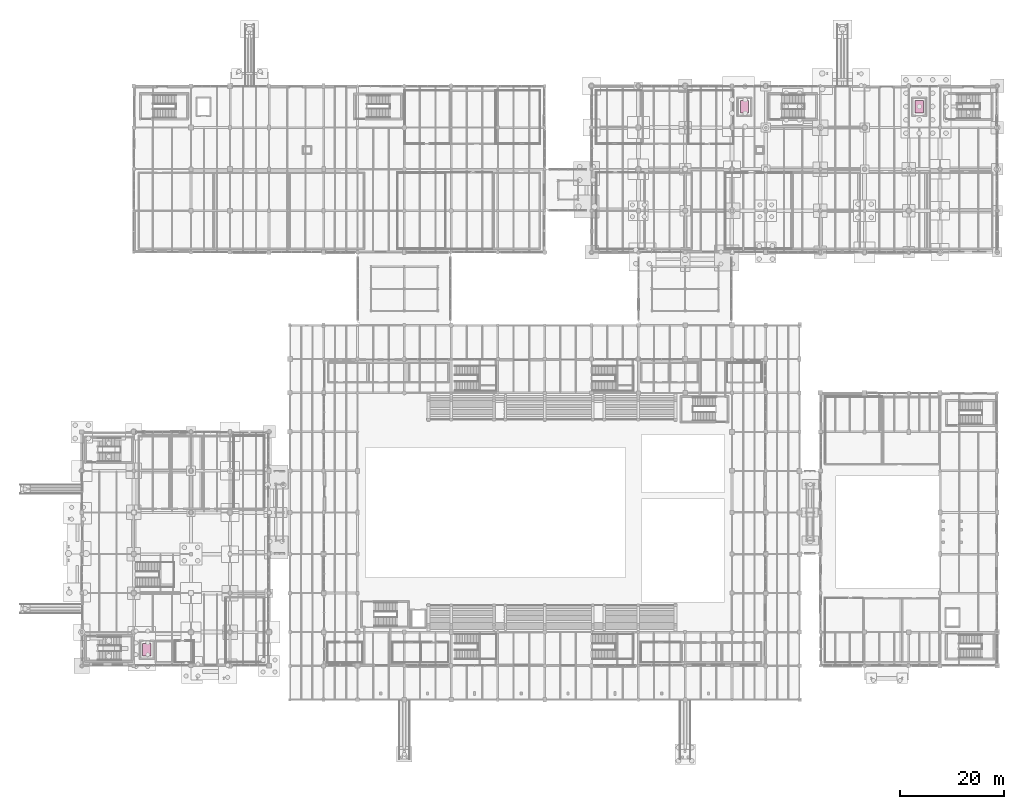
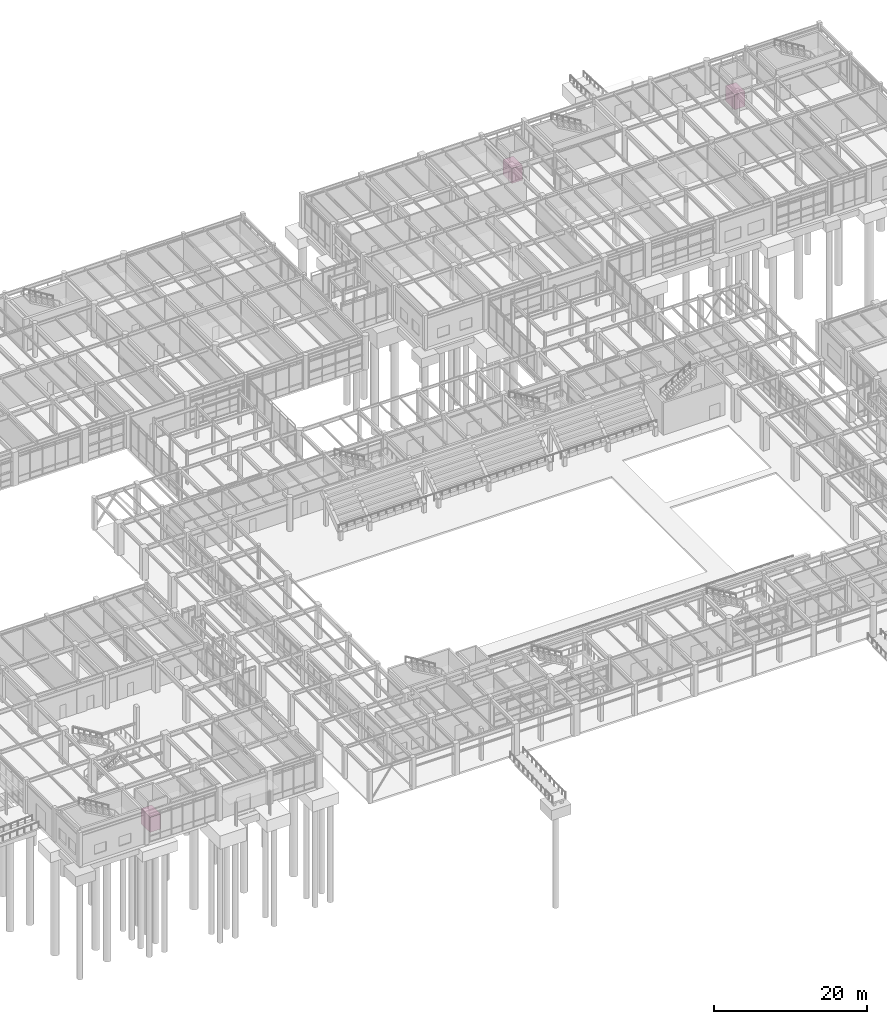
# One storey, part 203 of 203: 3 transport elements.
"""IFC4 building model written with IfcOpenShell, lengths in metres."""

from ifc_helpers import new_model, si_unit, direction, frame, origin, origin_2d, place, context, subcontext, project, spatial, rectangle, extrude, material, type_object, element, save


model = new_model("IFC4")

# Units and contexts
model_context = context("Model", 3, precision=1e-05, world=origin(), true_north=direction((0.0, 1.0)))
body_context = subcontext(model_context, "Body", "Model", "MODEL_VIEW")
ifc_project = project(units=[si_unit("LENGTHUNIT", "METRE"), si_unit("AREAUNIT", "SQUARE_METRE"), si_unit("VOLUMEUNIT", "CUBIC_METRE"), si_unit("PLANEANGLEUNIT", "RADIAN"), si_unit("MASSUNIT", "GRAM", prefix="KILO"), si_unit("THERMODYNAMICTEMPERATUREUNIT", "KELVIN"), si_unit("POWERUNIT", "WATT")], contexts=[model_context])

# Site, building, storey
site_placement = place(None, origin())
site = spatial("IfcSite", under=ifc_project, at=site_placement, CompositionType="ELEMENT")
building_placement = place(site_placement, origin())
building = spatial("IfcBuilding", under=site, at=building_placement, Name="Tepalcoro Natatorium and Aquatics Centre", CompositionType="ELEMENT")
storey_placement = place(building_placement, origin())
storey = spatial("IfcBuildingStorey", under=building, at=storey_placement, Name="L00", CompositionType="ELEMENT", Elevation=0.0)

# Transport elements
ifc_material = material(Name="Marine-Grade Brushed Stainless Steel AISI 316L", Category="steel")
transport_element_type = type_object("IfcTransportElementType", Name="LIFT_160x240", PredefinedType="ELEVATOR", material=ifc_material)
for number, where, z_axis, x_axis, name in (
    (1, (12.5, 9.60009765625, 0.0), (0.0, 0.0, 1.0), (1.0, 0.0, 0.0), "Grand Atrium Passenger Lift (LF03)"),
    (2, (127.39990234375, 114.0, 0.0), (0.0, 0.0, 1.0), (1.0, 0.0, 0.0), "Sports Science Firefighting & Stretcher Lift (LF05)"),
    (3, (161.0, 114.0, 0.0), (0.0, 0.0, 1.0), (1.0, 0.0, 0.0), "Broadcast & Observatory Goods/Passenger Lift (LF06)"),
):
    element("IfcTransportElement", number, at=place(storey_placement, frame(where, z_axis=z_axis, x_axis=x_axis)), inside=storey, type_object=transport_element_type, Name=name, PredefinedType="ELEVATOR", context=body_context, shape_type="SweptSolid", body=[
        extrude(rectangle(XDim=1.60009765625, YDim=2.39990234375, at=origin_2d()), origin(), (0.0, 0.0, 1.0), 2.39990234375),
    ])

save(model, "model.ifc")
